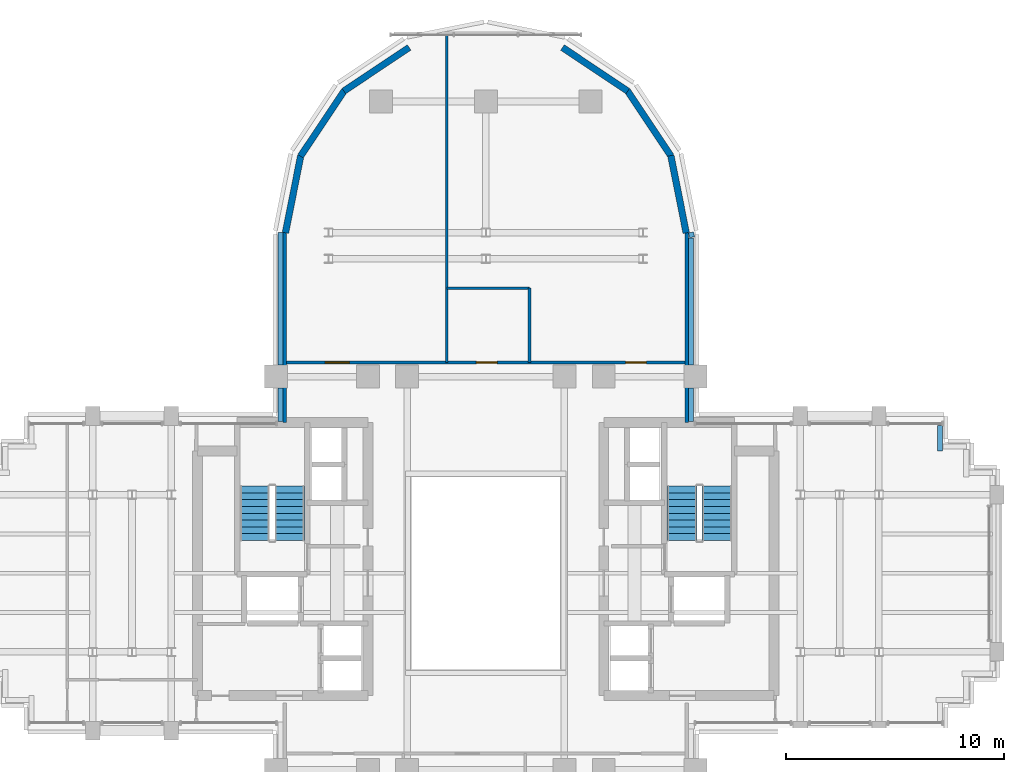
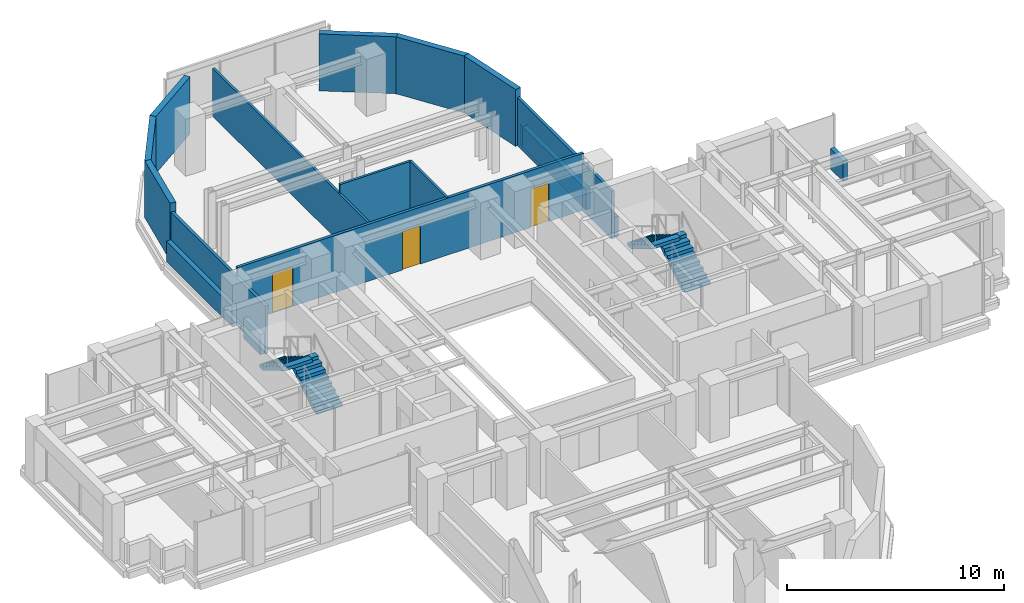
# One storey, part 10 of 13: 18 walls, 4 stair flights, 3 doors, 3 openings, 2 elements without a shape of their own.
"""IFC4 building model written with IfcOpenShell, lengths in metres."""

from ifc_helpers import new_model, si_unit, direction, frame, frame_2d, origin, place, context, subcontext, project, spatial, polyline, rectangle, outline, extrude, source, transform, mapped, material, layer, layer_set, type_object, element, fill, aggregate, save


model = new_model("IFC4")

# Units and contexts
model_context = context("Model", 3, precision=1e-05, world=origin(), true_north=direction((0.0, 1.0)))
body_context = subcontext(model_context, "Body", "Model", "MODEL_VIEW")
ifc_project = project(units=[si_unit("LENGTHUNIT", "METRE"), si_unit("AREAUNIT", "SQUARE_METRE"), si_unit("VOLUMEUNIT", "CUBIC_METRE"), si_unit("PLANEANGLEUNIT", "RADIAN"), si_unit("MASSUNIT", "GRAM", prefix="KILO")], contexts=[model_context])

# Site, building, storey
site_placement = place(None, origin())
site = spatial("IfcSite", under=ifc_project, at=site_placement, CompositionType="ELEMENT")
building_placement = place(site_placement, origin())
building = spatial("IfcBuilding", under=site, at=building_placement, Name="Keilestroom Media Tower", CompositionType="ELEMENT")
storey_placement = place(building_placement, frame((0.0, 0.0, 144.800048828125)))
storey = spatial("IfcBuildingStorey", under=building, at=storey_placement, Name="L39", CompositionType="ELEMENT", Elevation=144.800048828125)

# Walls
ifc_material_1 = material(Name="Precast concrete C40/50", Category="concrete")
ifc_layer_1 = layer(ifc_material_1, 0.300048828125)
ifc_layer_set_1 = layer_set([ifc_layer_1], Name="Precast concrete C40/50")
wall_type_1 = type_object("IfcWallType", Name="Exterior-Masonry-Spandrel-Wall-300", PredefinedType="SOLIDWALL", material=ifc_layer_set_1)
for number, where, z_axis, x_axis, name in (
    (1, (9.1748046875, 15.585205078125, 0.0), (0.0, 0.0, 1.0), (-0.195114232679, 0.980780523974, 0.0), "L39 Lobe Facet Precast Frame Wall 01"),
    (2, (8.48193359375, 19.097412109375, 0.0), (0.0, 0.0, 1.0), (-0.555574187116, 0.831466970246, 0.0), "L39 Lobe Facet Precast Frame Wall 02"),
):
    element("IfcWall", number, at=place(storey_placement, frame(where, z_axis=z_axis, x_axis=x_axis)), inside=storey, type_object=wall_type_1, Name=name, PredefinedType="SOLIDWALL", context=body_context, shape_type="SweptSolid", body=[
        extrude(rectangle(XDim=3.608642578125, YDim=0.300048828125, at=frame_2d((1.80419921875, 0.0))), origin(), (0.0, 0.0, 1.0), 3.199951171875),
    ])
for number, where, z_axis, x_axis, name in (
    (3, (6.497802734375, 22.0771484375, 0.0), (0.0, 0.0, 1.0), (-0.8314749531, 0.555562239868, 0.0), "L39 Lobe Facet Precast Frame Wall 03"),
    (4, (-3.510009765625, 24.073486328125, 0.0), (0.0, 0.0, 1.0), (-0.8314749531, -0.555562239868, 0.0), "L39 Lobe Facet Precast Frame Wall 04"),
):
    element("IfcWall", number, at=place(storey_placement, frame(where, z_axis=z_axis, x_axis=x_axis)), inside=storey, type_object=wall_type_1, Name=name, PredefinedType="SOLIDWALL", context=body_context, shape_type="SweptSolid", body=[
        extrude(rectangle(XDim=3.59326171875, YDim=0.300048828125, at=frame_2d((1.796630859375, 0.0))), origin(), (0.0, 0.0, 1.0), 3.199951171875),
    ])
for number, where, z_axis, x_axis, name in (
    (5, (-6.47705078125, 22.097900390625, 0.0), (0.0, 0.0, 1.0), (-0.555574187116, -0.831466970246, 0.0), "L39 Lobe Facet Precast Frame Wall 05"),
    (6, (-8.470703125, 19.12451171875, 0.0), (0.0, 0.0, 1.0), (-0.195114232679, -0.980780523974, 0.0), "L39 Lobe Facet Precast Frame Wall 06"),
):
    element("IfcWall", number, at=place(storey_placement, frame(where, z_axis=z_axis, x_axis=x_axis)), inside=storey, type_object=wall_type_1, Name=name, PredefinedType="SOLIDWALL", context=body_context, shape_type="SweptSolid", body=[
        extrude(rectangle(XDim=3.608642578125, YDim=0.300048828125, at=frame_2d((1.80419921875, 0.0))), origin(), (0.0, 0.0, 1.0), 3.199951171875),
    ])
ifc_material_2 = material(Name="Gypsum Plasterboard & Steel Stud", Category="steel")
ifc_layer_2 = layer(ifc_material_2, 0.1201171875)
ifc_layer_set_2 = layer_set([ifc_layer_2], Name="Gypsum Plasterboard & Steel Stud")
wall_type_2 = type_object("IfcWallType", Name="Interior-Partition-Wall-120", PredefinedType="PARTITIONING", material=ifc_layer_set_2)
wall_1_placement = place(storey_placement, frame((-1.780029296875, 9.64990234375, 0.0), z_axis=(0.0, 0.0, 1.0), x_axis=(0.0, 1.0, 0.0)))
element("IfcWall", 7, at=wall_1_placement, inside=storey, type_object=wall_type_2, Name="L39 Interior Wall WP-L39-NL-V1", PredefinedType="PARTITIONING", context=body_context, shape_type="SweptSolid", body=[
    extrude(rectangle(XDim=15.0, YDim=0.1201171875, at=frame_2d((7.5, 0.0))), origin(), (0.0, 0.0, 1.0), 2.699951171875),
])
wall_2_placement = place(storey_placement, frame((-1.780029296875, 13.050048828125, 0.0), z_axis=(0.0, 0.0, 1.0), x_axis=(1.0, 0.0, 0.0)))
element("IfcWall", 8, at=wall_2_placement, inside=storey, type_object=wall_type_2, Name="L39 Interior Wall WP-L39-NL-WC-N", PredefinedType="PARTITIONING", context=body_context, shape_type="SweptSolid", body=[
    extrude(rectangle(XDim=3.780029296875, YDim=0.1201171875, at=frame_2d((1.89013671875, 0.0))), origin(), (0.0, 0.0, 1.0), 3.199951171875),
])
wall_3_placement = place(storey_placement, frame((2.0, 9.64990234375, 0.0), z_axis=(0.0, 0.0, 1.0), x_axis=(0.0, 1.0, 0.0)))
element("IfcWall", 9, at=wall_3_placement, inside=storey, type_object=wall_type_2, Name="L39 Interior Wall WP-L39-NL-WC-E", PredefinedType="PARTITIONING", context=body_context, shape_type="SweptSolid", body=[
    extrude(rectangle(XDim=3.400146484375, YDim=0.1201171875, at=frame_2d((1.7001953125, 0.0))), origin(), (0.0, 0.0, 1.0), 3.199951171875),
])

# Wall, openings, doors
ifc_layer_3 = layer(ifc_material_2, 0.14990234375)
ifc_layer_set_3 = layer_set([ifc_layer_3], Name="Gypsum Plasterboard & Steel Stud")
wall_type_3 = type_object("IfcWallType", Name="Interior-Partition-Wall-150", PredefinedType="PARTITIONING", material=ifc_layer_set_3)
wall_4_placement = place(storey_placement, frame((-9.199951171875, 9.64990234375, 0.0), z_axis=(0.0, 0.0, 1.0), x_axis=(1.0, 0.0, 0.0)))
wall_4 = element("IfcWall", 10, at=wall_4_placement, inside=storey, type_object=wall_type_3, Name="L39 Interior Wall WP-L39-NL-BASE", PredefinedType="PARTITIONING", context=body_context, shape_type="SweptSolid", body=[
    extrude(rectangle(XDim=18.39990234375, YDim=0.14990234375, at=frame_2d((9.199951171875, 0.0))), origin(), (0.0, 0.0, 1.0), 3.199951171875),
])
opening_1_placement = place(wall_4_placement, frame((8.77001953125, 0.0, 0.0)))
opening_1 = element("IfcOpeningElement", 11, at=opening_1_placement, cuts=wall_4, Name="Opening DI-03", PredefinedType="OPENING", context=body_context, shape_type="SweptSolid", body=[
    extrude(rectangle(XDim=0.949951171875, YDim=2.14990234375, at=frame_2d((0.47509765625, 1.074951171875))), frame((0.0, 0.0849609375, 0.0), z_axis=(0.0, -1.0, 0.0), x_axis=(1.0, 0.0, 0.0)), (0.0, 0.0, 1.0), 0.169921875),
])
opening_2_placement = place(wall_4_placement, frame((1.85009765625, 0.0, 0.0)))
opening_2 = element("IfcOpeningElement", 12, at=opening_2_placement, cuts=wall_4, Name="Opening DI-04", PredefinedType="OPENING", context=body_context, shape_type="SweptSolid", body=[
    extrude(rectangle(XDim=1.10009765625, YDim=2.199951171875, at=frame_2d((0.550048828125, 1.10009765625))), frame((0.0, 0.0849609375, 0.0), z_axis=(0.0, -1.0, 0.0), x_axis=(1.0, 0.0, 0.0)), (0.0, 0.0, 1.0), 0.169921875),
])
opening_3_placement = place(wall_4_placement, frame((15.60009765625, 0.0, 0.0)))
opening_3 = element("IfcOpeningElement", 13, at=opening_3_placement, cuts=wall_4, Name="Opening DI-03", PredefinedType="OPENING", context=body_context, shape_type="SweptSolid", body=[
    extrude(rectangle(XDim=0.949951171875, YDim=2.14990234375, at=frame_2d((0.47509765625, 1.074951171875))), frame((0.0, 0.0849609375, 0.0), z_axis=(0.0, -1.0, 0.0), x_axis=(1.0, 0.0, 0.0)), (0.0, 0.0, 1.0), 0.169921875),
])
ifc_material_3 = material(Name="Lacquered European Oak Leaf", Category="wood")
door_type_1 = type_object("IfcDoorType", Name="Interior-Room-And-Suite-Door-DI-03", OperationType="NOTDEFINED", PredefinedType="DOOR", material=ifc_material_3)
shared_shape_1 = source(origin(), body_context, "Body", "SweptSolid", [
    extrude(rectangle(XDim=0.949951171875, YDim=2.14990234375, at=frame_2d((0.47509765625, 1.074951171875))), frame((0.0, 0.02490234375, 0.0), z_axis=(0.0, -1.0, 0.0), x_axis=(1.0, 0.0, 0.0)), (0.0, 0.0, 1.0), 0.050048828125),
])
door_1_placement = place(opening_1_placement, origin())
door_1 = element("IfcDoor", 14, at=door_1_placement, inside=storey, type_object=door_type_1, Name="L39 Interior Door DI-L39-DNL-WC", OperationType="SINGLE_SWING_RIGHT", OverallHeight=2.14990234375, OverallWidth=0.949951171875, PredefinedType="DOOR", context=body_context, shape_type="MappedRepresentation", body=[
    mapped(shared_shape_1, transform((0.0, 0.0, 0.0), x_axis=(1.0, 0.0, 0.0), y_axis=(0.0, 1.0, 0.0), z_axis=(0.0, 0.0, 1.0), scale=1.0)),
])
fill(opening_1, door_1)
door_2_placement = place(opening_3_placement, origin())
door_2 = element("IfcDoor", 15, at=door_2_placement, inside=storey, type_object=door_type_1, Name="L39 Interior Door DI-L39-DNL-B", OperationType="SINGLE_SWING_RIGHT", OverallHeight=2.14990234375, OverallWidth=0.949951171875, PredefinedType="DOOR", context=body_context, shape_type="MappedRepresentation", body=[
    mapped(shared_shape_1, transform((0.0, 0.0, 0.0), x_axis=(1.0, 0.0, 0.0), y_axis=(0.0, 1.0, 0.0), z_axis=(0.0, 0.0, 1.0), scale=1.0)),
])
fill(opening_3, door_2)
ifc_material_4 = material(Name="Acoustic Glazed Aluminium Leaf", Category="aluminium")
door_type_2 = type_object("IfcDoorType", Name="Interior-Room-And-Suite-Door-DI-04", OperationType="NOTDEFINED", PredefinedType="DOOR", material=ifc_material_4)
shared_shape_2 = source(origin(), body_context, "Body", "SweptSolid", [
    extrude(rectangle(XDim=1.10009765625, YDim=2.199951171875, at=frame_2d((0.550048828125, 1.10009765625))), frame((0.0, 0.02490234375, 0.0), z_axis=(0.0, -1.0, 0.0), x_axis=(1.0, 0.0, 0.0)), (0.0, 0.0, 1.0), 0.050048828125),
])
door_3_placement = place(opening_2_placement, origin())
door_3 = element("IfcDoor", 16, at=door_3_placement, inside=storey, type_object=door_type_2, Name="L39 Interior Door DI-L39-DNL-A", OperationType="SINGLE_SWING_LEFT", OverallHeight=2.199951171875, OverallWidth=1.10009765625, PredefinedType="DOOR", context=body_context, shape_type="MappedRepresentation", body=[
    mapped(shared_shape_2, transform((0.0, 0.0, 0.0), x_axis=(1.0, 0.0, 0.0), y_axis=(0.0, 1.0, 0.0), z_axis=(0.0, 0.0, 1.0), scale=1.0)),
])
fill(opening_2, door_3)

# Walls
for number, where, z_axis, x_axis, name in (
    (17, (-9.199951171875, 6.89990234375, 0.0), (0.0, 0.0, 1.0), (0.0, 1.0, 0.0), "L39 Interior Wall WP-L39-NL-CHKW"),
    (18, (9.199951171875, 6.89990234375, 0.0), (0.0, 0.0, 1.0), (0.0, 1.0, 0.0), "L39 Interior Wall WP-L39-NL-CHKE"),
):
    element("IfcWall", number, at=place(storey_placement, frame(where, z_axis=z_axis, x_axis=x_axis)), inside=storey, type_object=wall_type_3, Name=name, PredefinedType="PARTITIONING", context=body_context, shape_type="SweptSolid", body=[
        extrude(rectangle(XDim=8.780029296875, YDim=0.14990234375, at=frame_2d((4.39013671875, 0.0))), origin(), (0.0, 0.0, 1.0), 2.699951171875),
    ])
ifc_layer_4 = layer(ifc_material_1, 0.239990234375)
ifc_layer_set_4 = layer_set([ifc_layer_4], Name="Precast concrete C40/50")
wall_type_4 = type_object("IfcWallType", Name="Roof-And-Terrace-Parapet-Wall-240", PredefinedType="PARAPET", material=ifc_layer_set_4)
wall_5_placement = place(storey_placement, frame((-9.39990234375, 6.952880859375, 0.0), z_axis=(0.0, 0.0, 1.0), x_axis=(0.0, 1.0, 0.0)))
element("IfcWall", 19, at=wall_5_placement, inside=storey, type_object=wall_type_4, Name="L39 Perimeter Edge Parapet Wall 21", PredefinedType="PARAPET", context=body_context, shape_type="SweptSolid", body=[
    extrude(rectangle(XDim=1.51904296875, YDim=0.239990234375, at=frame_2d((0.759521484375, 0.0))), origin(), (0.0, 0.0, 1.0), 1.14990234375),
])
wall_6_placement = place(storey_placement, frame((-9.39990234375, 9.528076171875, 0.0), z_axis=(0.0, 0.0, 1.0), x_axis=(0.0, 1.0, 0.0)))
element("IfcWall", 20, at=wall_6_placement, inside=storey, type_object=wall_type_4, Name="L39 Perimeter Edge Parapet Wall 22", PredefinedType="PARAPET", context=body_context, shape_type="SweptSolid", body=[
    extrude(rectangle(XDim=6.07470703125, YDim=0.239990234375, at=frame_2d((3.037353515625, 0.0))), origin(), (0.0, 0.0, 1.0), 1.14990234375),
])
wall_7_placement = place(storey_placement, frame((9.395263671875, 15.604248046875, 0.0), z_axis=(0.0, 0.0, 1.0), x_axis=(0.194652052864, -0.980872355771, 0.0)))
element("IfcWall", 21, at=wall_7_placement, inside=storey, type_object=wall_type_4, Name="L39 Perimeter Edge Parapet Wall 23", PredefinedType="PARAPET", context=body_context, shape_type="SweptSolid", body=[
    extrude(rectangle(XDim=0.224609375, YDim=0.239990234375, at=frame_2d((0.1123046875, 0.0))), origin(), (0.0, 0.0, 1.0), 1.14990234375),
])
wall_8_placement = place(storey_placement, frame((9.39990234375, 15.357666015625, 0.0), z_axis=(0.0, 0.0, 1.0), x_axis=(0.0, -1.0, 0.0)))
element("IfcWall", 22, at=wall_8_placement, inside=storey, type_object=wall_type_4, Name="L39 Perimeter Edge Parapet Wall 24", PredefinedType="PARAPET", context=body_context, shape_type="SweptSolid", body=[
    extrude(rectangle(XDim=5.82958984375, YDim=0.239990234375, at=frame_2d((2.914794921875, 0.0))), origin(), (0.0, 0.0, 1.0), 1.14990234375),
])
wall_9_placement = place(storey_placement, frame((9.39990234375, 8.471923828125, 0.0), z_axis=(0.0, 0.0, 1.0), x_axis=(0.0, -1.0, 0.0)))
element("IfcWall", 23, at=wall_9_placement, inside=storey, type_object=wall_type_4, Name="L39 Perimeter Edge Parapet Wall 25", PredefinedType="PARAPET", context=body_context, shape_type="SweptSolid", body=[
    extrude(rectangle(XDim=1.51904296875, YDim=0.239990234375, at=frame_2d((0.759521484375, 0.0))), origin(), (0.0, 0.0, 1.0), 1.14990234375),
])
wall_10_placement = place(storey_placement, frame((20.800048828125, 6.757080078125, 0.0), z_axis=(0.0, 0.0, 1.0), x_axis=(0.0, -1.0, 0.0)))
element("IfcWall", 24, at=wall_10_placement, inside=storey, type_object=wall_type_4, Name="L39 Perimeter Edge Parapet Wall 26", PredefinedType="PARAPET", context=body_context, shape_type="SweptSolid", body=[
    extrude(rectangle(XDim=1.156982421875, YDim=0.239990234375, at=frame_2d((0.57861328125, 0.0))), origin(), (0.0, 0.0, 1.0), 1.14990234375),
])

# Stair, stair flights
ifc_material_5 = material(Name="Concrete C45/55", Category="concrete")
stair_type = type_object("IfcStairType", Name="Enclosed-Dog-Leg-Stair-ST-CORE", PredefinedType="HALF_TURN_STAIR", material=ifc_material_5)
stair_1_placement = place(storey_placement, origin())
stair_1 = element("IfcStair", 25, at=stair_1_placement, inside=storey, type_object=stair_type, Name="L39 West Core Escape Stair ST-1", PredefinedType="HALF_TURN_STAIR")
stair_flight_type = type_object("IfcStairFlightType", Name="Precast-Concrete-Stair-Flight-Core-160", PredefinedType="STRAIGHT", material=ifc_material_1)
stair_flight_1_placement = place(storey_placement, frame((-8.97998046875, 1.5, 0.0), z_axis=(0.0, 0.0, 1.0), x_axis=(0.0, 1.0, 0.0)))
stair_flight_1 = element("IfcStairFlight", 26, at=stair_flight_1_placement, type_object=stair_flight_type, Name="ST-1 flight 1", NumberOfRisers=9, NumberOfTreads=8, PredefinedType="STRAIGHT", RiserHeight=0.188888889, TreadLength=0.312, context=body_context, shape_type="SweptSolid", body=[
    extrude(outline(polyline([(0.0, 0.0), (0.0, 0.18896484375), (0.31201171875, 0.18896484375), (0.31201171875, 0.377685546875), (0.6240234375, 0.377685546875), (0.6240234375, 0.566650390625), (0.93603515625, 0.566650390625), (0.93603515625, 0.755615234375), (1.248046875, 0.755615234375), (1.248046875, 0.9443359375), (1.56005859375, 0.9443359375), (1.56005859375, 1.13330078125), (1.8720703125, 1.13330078125), (1.8720703125, 1.322265625), (2.18408203125, 1.322265625), (2.18408203125, 1.51123046875), (2.49609375, 1.51123046875), (2.49609375, 1.699951171875), (2.49609375, 1.32421875), (0.308837890625, 0.0), (0.0, 0.0)])), frame((0.0, 0.68017578125, 0.0), z_axis=(0.0, -1.0, 0.0), x_axis=(1.0, 0.0, 0.0)), (0.0, 0.0, 1.0), 1.360107421875),
])
stair_flight_2_placement = place(storey_placement, frame((-10.580078125, 3.99609375, 1.699951171875), z_axis=(0.0, 0.0, 1.0), x_axis=(0.0, -1.0, 0.0)))
stair_flight_2 = element("IfcStairFlight", 27, at=stair_flight_2_placement, type_object=stair_flight_type, Name="ST-1 flight 2", NumberOfRisers=9, NumberOfTreads=8, PredefinedType="STRAIGHT", RiserHeight=0.188888889, TreadLength=0.312, context=body_context, shape_type="SweptSolid", body=[
    extrude(outline(polyline([(0.0, 0.0), (0.0, 0.18896484375), (0.31201171875, 0.18896484375), (0.31201171875, 0.377685546875), (0.6240234375, 0.377685546875), (0.6240234375, 0.566650390625), (0.93603515625, 0.566650390625), (0.93603515625, 0.755615234375), (1.248046875, 0.755615234375), (1.248046875, 0.9443359375), (1.56005859375, 0.9443359375), (1.56005859375, 1.13330078125), (1.8720703125, 1.13330078125), (1.8720703125, 1.322265625), (2.18408203125, 1.322265625), (2.18408203125, 1.51123046875), (2.49609375, 1.51123046875), (2.49609375, 1.699951171875), (2.49609375, 1.32421875), (0.308837890625, 0.0), (0.0, 0.0)])), frame((0.0, 0.68017578125, 0.0), z_axis=(0.0, -1.0, 0.0), x_axis=(1.0, 0.0, 0.0)), (0.0, 0.0, 1.0), 1.360107421875),
])
aggregate(stair_1, [stair_flight_1, stair_flight_2])

stair_2_placement = place(storey_placement, origin())
stair_2 = element("IfcStair", 28, at=stair_2_placement, inside=storey, type_object=stair_type, Name="L39 East Core Escape Stair ST-2", PredefinedType="HALF_TURN_STAIR")
stair_flight_3_placement = place(storey_placement, frame((10.580078125, 1.5, 0.0), z_axis=(0.0, 0.0, 1.0), x_axis=(0.0, 1.0, 0.0)))
stair_flight_3 = element("IfcStairFlight", 29, at=stair_flight_3_placement, type_object=stair_flight_type, Name="ST-2 flight 1", NumberOfRisers=9, NumberOfTreads=8, PredefinedType="STRAIGHT", RiserHeight=0.188888889, TreadLength=0.312, context=body_context, shape_type="SweptSolid", body=[
    extrude(outline(polyline([(0.0, 0.0), (0.0, 0.18896484375), (0.31201171875, 0.18896484375), (0.31201171875, 0.377685546875), (0.6240234375, 0.377685546875), (0.6240234375, 0.566650390625), (0.93603515625, 0.566650390625), (0.93603515625, 0.755615234375), (1.248046875, 0.755615234375), (1.248046875, 0.9443359375), (1.56005859375, 0.9443359375), (1.56005859375, 1.13330078125), (1.8720703125, 1.13330078125), (1.8720703125, 1.322265625), (2.18408203125, 1.322265625), (2.18408203125, 1.51123046875), (2.49609375, 1.51123046875), (2.49609375, 1.699951171875), (2.49609375, 1.32421875), (0.308837890625, 0.0), (0.0, 0.0)])), frame((0.0, 0.68017578125, 0.0), z_axis=(0.0, -1.0, 0.0), x_axis=(1.0, 0.0, 0.0)), (0.0, 0.0, 1.0), 1.360107421875),
])
stair_flight_4_placement = place(storey_placement, frame((8.97998046875, 3.99609375, 1.699951171875), z_axis=(0.0, 0.0, 1.0), x_axis=(0.0, -1.0, 0.0)))
stair_flight_4 = element("IfcStairFlight", 30, at=stair_flight_4_placement, type_object=stair_flight_type, Name="ST-2 flight 2", NumberOfRisers=9, NumberOfTreads=8, PredefinedType="STRAIGHT", RiserHeight=0.188888889, TreadLength=0.312, context=body_context, shape_type="SweptSolid", body=[
    extrude(outline(polyline([(0.0, 0.0), (0.0, 0.18896484375), (0.31201171875, 0.18896484375), (0.31201171875, 0.377685546875), (0.6240234375, 0.377685546875), (0.6240234375, 0.566650390625), (0.93603515625, 0.566650390625), (0.93603515625, 0.755615234375), (1.248046875, 0.755615234375), (1.248046875, 0.9443359375), (1.56005859375, 0.9443359375), (1.56005859375, 1.13330078125), (1.8720703125, 1.13330078125), (1.8720703125, 1.322265625), (2.18408203125, 1.322265625), (2.18408203125, 1.51123046875), (2.49609375, 1.51123046875), (2.49609375, 1.699951171875), (2.49609375, 1.32421875), (0.308837890625, 0.0), (0.0, 0.0)])), frame((0.0, 0.68017578125, 0.0), z_axis=(0.0, -1.0, 0.0), x_axis=(1.0, 0.0, 0.0)), (0.0, 0.0, 1.0), 1.360107421875),
])
aggregate(stair_2, [stair_flight_3, stair_flight_4])

save(model, "model.ifc")
